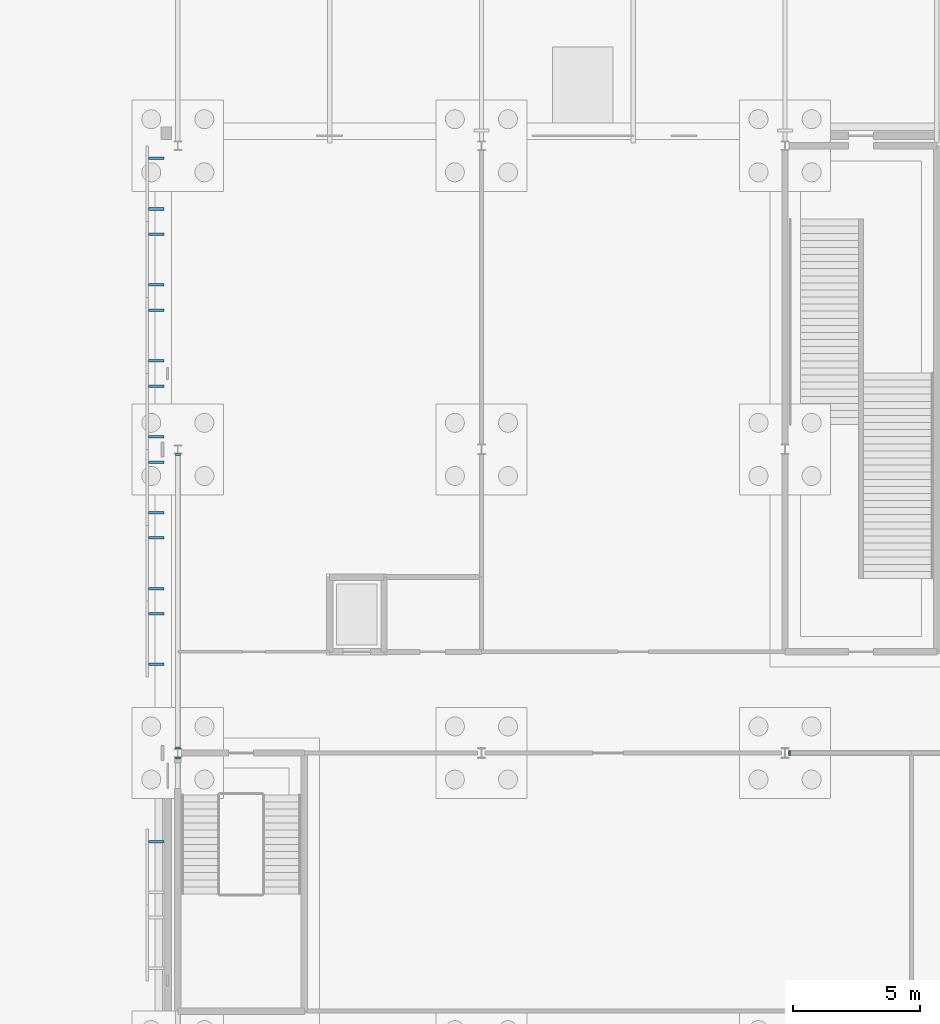
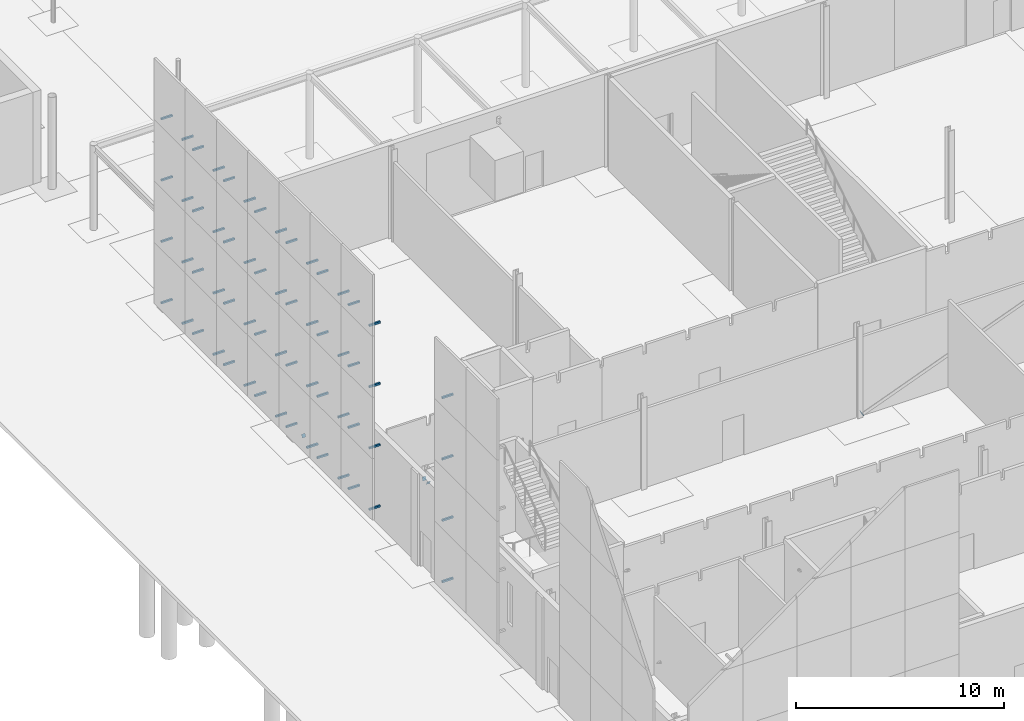
# One storey, part 99 of 132: 64 discrete accessories.
"""IFC4 building model written with IfcOpenShell, lengths in metres."""

import ifcopenshell
import ifcopenshell.guid

model = None  # the IFC model being written
_history = None  # IfcOwnerHistory: only IFC2X3 demands one
_inside = {}  # id of a spatial element -> (the spatial element, [elements in it])
_under = {}  # id of a project, library or spatial element -> (it, [spatial elements below it])
_declared = {}  # id of a project -> (the project, [libraries it declares])
_typed = {}  # id of a type object -> (the type object, [elements of that type])
_made_of = {}  # id of a material, layer set ... -> (it, [elements and type objects made of it])


def new_model(schema):
    """Start an empty IFC model of exactly this schema.

    Asked for "IFC4X3", IfcOpenShell would pick the latest addendum, in which some entities
    have other attributes; the version numbers below select the first issue.
    IFC2X3 requires an IfcOwnerHistory on every rooted entity: one is made here for all.
    """
    global model, _history
    if schema == "IFC4X3":
        model = ifcopenshell.file(schema_version=(4, 3, 0, 0))
    else:
        model = ifcopenshell.file(schema=schema)
    _inside.clear()
    _under.clear()
    _declared.clear()
    _typed.clear()
    _made_of.clear()
    _history = None
    if model.schema == "IFC2X3":
        org = make("IfcOrganization", Name="unknown")
        user = make(
            "IfcPersonAndOrganization",
            ThePerson=make("IfcPerson", FamilyName="unknown"),
            TheOrganization=org,
        )
        app = make(
            "IfcApplication",
            ApplicationDeveloper=org,
            Version="unknown",
            ApplicationFullName="unknown",
            ApplicationIdentifier="unknown",
        )
        _history = make(
            "IfcOwnerHistory",
            OwningUser=user,
            OwningApplication=app,
            ChangeAction="ADDED",
            CreationDate=0,
        )
    return model


def make(cls, **values):
    """One entity of the class cls with the attributes given. An attribute that is None is left unset."""
    return model.create_entity(
        cls, **{name: value for name, value in values.items() if value is not None}
    )


def rooted(cls, **values):
    """An entity with a GlobalId (a new one), such as an element, a storey or a relation."""
    return make(cls, GlobalId=ifcopenshell.guid.new(), OwnerHistory=_history, **values)


def si_unit(unit_type, name, prefix=None):
    """IfcSIUnit, for example si_unit("LENGTHUNIT", "METRE", prefix="MILLI")."""
    return make("IfcSIUnit", UnitType=unit_type, Prefix=prefix, Name=name)


def assignment(units):
    """IfcUnitAssignment: the units of a project."""
    return None if units is None else make("IfcUnitAssignment", Units=units)


def point(xyz):
    """IfcCartesianPoint."""
    return None if xyz is None else make("IfcCartesianPoint", Coordinates=xyz)


def direction(xyz):
    """IfcDirection."""
    return None if xyz is None else make("IfcDirection", DirectionRatios=xyz)


def frame(location, z_axis=None, x_axis=None):
    """IfcAxis2Placement3D, a coordinate frame: its origin and axes. An axis left out is left unset."""
    return make(
        "IfcAxis2Placement3D",
        Location=point(location),
        Axis=direction(z_axis),
        RefDirection=direction(x_axis),
    )


def frame_2d(location, x_axis=None):
    """IfcAxis2Placement2D, a coordinate frame in the plane: its origin and x axis."""
    return make(
        "IfcAxis2Placement2D", Location=point(location), RefDirection=direction(x_axis)
    )


def origin():
    """The frame at (0, 0, 0) with its axes left unset."""
    return frame((0.0, 0.0, 0.0))


def origin_2d():
    """The frame at (0, 0) in the plane with its x axis left unset."""
    return frame_2d((0.0, 0.0))


def place(relative_to, where):
    """IfcLocalPlacement: puts the frame where relative to a parent placement (None: the world)."""
    return make(
        "IfcLocalPlacement", PlacementRelTo=relative_to, RelativePlacement=where
    )


def context(
    kind, dimensions, precision=None, world=None, true_north=None, identifier=None
):
    """IfcGeometricRepresentationContext, for example the 3D "Model" context."""
    return make(
        "IfcGeometricRepresentationContext",
        ContextIdentifier=identifier,
        ContextType=kind,
        CoordinateSpaceDimension=dimensions,
        Precision=precision,
        WorldCoordinateSystem=world,
        TrueNorth=true_north,
    )


def subcontext(parent, identifier, kind, view, scale=None):
    """IfcGeometricRepresentationSubContext, for example "Body" below "Model"."""
    return make(
        "IfcGeometricRepresentationSubContext",
        ContextIdentifier=identifier,
        ContextType=kind,
        ParentContext=parent,
        TargetScale=scale,
        TargetView=view,
    )


def project(units=None, contexts=None):
    """IfcProject with its units and contexts."""
    return rooted(
        "IfcProject",
        Name="project",
        RepresentationContexts=contexts,
        UnitsInContext=assignment(units),
    )


def spatial(cls, under=None, at=None, **own):
    """A site, building, storey or space (cls), placed at a placement, below another one or the project."""
    s = rooted(cls, ObjectPlacement=at, **own)
    if under is not None:
        _under.setdefault(under.id(), (under, []))[1].append(s)
    return s


def profile(cls, at=None, kind="AREA", **sizes):
    """A parametric profile (cls). Its sizes go by their IFC names, for example OverallWidth=200.0."""
    return make(cls, ProfileType=kind, Position=at, **sizes)


def rectangle(**sizes):
    """IfcRectangleProfileDef."""
    return profile("IfcRectangleProfileDef", **sizes)


def extrude(swept, where, along, depth):
    """IfcExtrudedAreaSolid: the profile swept, set in the frame where, extruded along a direction by depth."""
    return make(
        "IfcExtrudedAreaSolid",
        SweptArea=swept,
        Position=where,
        ExtrudedDirection=direction(along),
        Depth=depth,
    )


def shape(context_of_items, identifier, shape_type, items):
    """IfcShapeRepresentation: the items that make up one representation, for example the "Body"."""
    return make(
        "IfcShapeRepresentation",
        ContextOfItems=context_of_items,
        RepresentationIdentifier=identifier,
        RepresentationType=shape_type,
        Items=items,
    )


def material(Name=None, Category=None):
    """IfcMaterial."""
    return make("IfcMaterial", Name=Name, Category=Category)


def material_profile(
    of_material, cross_section, Name=None, Category=None, Priority=None
):
    """IfcMaterialProfile: a cross section and its material."""
    return make(
        "IfcMaterialProfile",
        Name=Name,
        Material=of_material,
        Profile=cross_section,
        Priority=Priority,
        Category=Category,
    )


def profile_set(profiles, Name=None, composite=None):
    """IfcMaterialProfileSet."""
    return make(
        "IfcMaterialProfileSet",
        Name=Name,
        MaterialProfiles=profiles,
        CompositeProfile=composite,
    )


def made_of(thing, what):
    """Note that an element or type object is made of a material, layer set ...; save() writes the relation."""
    if what is not None:
        _made_of.setdefault(what.id(), (what, []))[1].append(thing)
    return thing


def type_object(cls, material=None, **own):
    """A type object (cls), such as IfcWallType, which elements share."""
    return made_of(rooted(cls, **own), material)


def element(
    cls,
    number,
    at=None,
    inside=None,
    cuts=None,
    type_object=None,
    material=None,
    context=None,
    identifier="Body",
    shape_type=None,
    held_by="IfcProductDefinitionShape",
    body=None,
    shapes=None,
    **own,
):
    """One element of the class cls, such as IfcWall. Its Tag is "e" and its number.

    at: its placement. inside: the storey or other place that contains it. cuts: it is an
    opening in that element (IfcRelVoidsElement). A single representation is given by context,
    identifier, shape_type and body (its items); several are given by shapes. held_by: the class
    of the entity that holds the representations. save() writes the other relations.
    """
    e = rooted(cls, Tag="e%d" % number, ObjectPlacement=at, **own)
    if body is not None:
        shapes = [shape(context, identifier, shape_type, body)]
    if shapes is not None:
        e.Representation = make(held_by, Representations=shapes)
    if inside is not None:
        _inside.setdefault(inside.id(), (inside, []))[1].append(e)
    if cuts is not None:
        rooted(
            "IfcRelVoidsElement", RelatingBuildingElement=cuts, RelatedOpeningElement=e
        )
    if type_object is not None:
        _typed.setdefault(type_object.id(), (type_object, []))[1].append(e)
    return made_of(e, material)


def aggregate(whole, parts):
    """IfcRelAggregates: a whole, such as a stair, and the parts it consists of."""
    return rooted("IfcRelAggregates", RelatingObject=whole, RelatedObjects=parts)


def save(model, path):
    """Write the relations noted so far, then the file.

    IfcRelAggregates (storeys below a building ...), IfcRelContainedInSpatialStructure (elements
    in a storey), IfcRelDefinesByType, IfcRelAssociatesMaterial and IfcRelDeclares: one each for
    every whole, place, type object, material and project.
    """
    for whole, parts in _under.values():
        aggregate(whole, parts)
    for where, things in _inside.values():
        rooted(
            "IfcRelContainedInSpatialStructure",
            RelatedElements=things,
            RelatingStructure=where,
        )
    for kind, things in _typed.values():
        rooted("IfcRelDefinesByType", RelatedObjects=things, RelatingType=kind)
    for what, things in _made_of.values():
        rooted("IfcRelAssociatesMaterial", RelatedObjects=things, RelatingMaterial=what)
    for by, libraries in _declared.values():
        rooted("IfcRelDeclares", RelatingContext=by, RelatedDefinitions=libraries)
    model.write(path)


model = new_model("IFC4")

# Units and contexts
model_context = context("Model", 3, precision=1e-05, world=origin(), true_north=direction((0.0, 1.0)))
body_context = subcontext(model_context, "Body", "Model", "MODEL_VIEW")
ifc_project = project(units=[si_unit("LENGTHUNIT", "METRE"), si_unit("AREAUNIT", "SQUARE_METRE"), si_unit("VOLUMEUNIT", "CUBIC_METRE"), si_unit("PLANEANGLEUNIT", "RADIAN"), si_unit("MASSUNIT", "GRAM", prefix="KILO")], contexts=[model_context])

# Site, building, storey
site_placement = place(None, origin())
site = spatial("IfcSite", under=ifc_project, at=site_placement, CompositionType="ELEMENT")
building_placement = place(site_placement, origin())
building = spatial("IfcBuilding", under=site, at=building_placement, Name="Ravi Spectrum Wholesale Market", CompositionType="ELEMENT")
storey_placement = place(building_placement, origin())
storey = spatial("IfcBuildingStorey", under=building, at=storey_placement, Name="L00", CompositionType="ELEMENT", Elevation=0.0)

# Discrete accessories
ifc_material_1 = material(Name="Steel S355", Category="steel")
ifc_material_profile = material_profile(ifc_material_1, rectangle(XDim=0.199951171875, YDim=0.199951171875, at=origin_2d()))
ifc_profile_set = profile_set([ifc_material_profile], Name="Steel S355")
discrete_accessory_type_1 = type_object("IfcDiscreteAccessoryType", Name="End plate SHS 200x200x8", PredefinedType="BRACKET", material=ifc_profile_set)
for number, where, z_axis, x_axis, name in (
    (1, (222.185791015625, 42.0, 0.09326171875), (-0.937994498829, 0.0, -0.346650140872), (0.0, -1.0, 0.0), "End plate"),
    (2, (198.0, 41.793701171875, 4.60693359375), (0.0, 0.937994498829, 0.346650140872), (-1.0, 0.0, 0.0), "End plate"),
    (3, (198.0, 42.206298828125, 4.60693359375), (0.0, -0.937994498829, 0.346650140872), (1.0, 0.0, 0.0), "End plate"),
    (4, (198.0, 53.793701171875, 0.09326171875), (0.0, 0.931242779706, -0.364399348581), (-1.0, 0.0, 0.0), "End plate"),
):
    element("IfcDiscreteAccessory", number, at=place(storey_placement, frame(where, z_axis=z_axis, x_axis=x_axis)), inside=storey, type_object=discrete_accessory_type_1, Name=name, PredefinedType="BRACKET", context=body_context, shape_type="SweptSolid", body=[
        extrude(rectangle(XDim=0.199951171875, YDim=0.199951171875, at=origin_2d()), origin(), (0.0, 0.0, 1.0), 0.011962890625),
    ])
ifc_material_2 = material(Name="Steel S355", Category="steel")
discrete_accessory_type_2 = type_object("IfcDiscreteAccessoryType", Name="Steel angle bracket 100 x 115", PredefinedType="BRACKET", material=ifc_material_2)
for number, where, z_axis, x_axis, name in (
    (5, (197.14990234375, 38.5, 1.14990234375), (0.0, 0.0, 1.0), (1.0, 0.0, 0.0), "Screen bracket"),
    (6, (197.14990234375, 38.5, 4.75), (0.0, 0.0, 1.0), (1.0, 0.0, 0.0), "Screen bracket"),
    (7, (197.14990234375, 38.5, 8.349853515625), (0.0, 0.0, 1.0), (1.0, 0.0, 0.0), "Screen bracket"),
    (8, (197.14990234375, 38.5, 11.949951171875), (0.0, 0.0, 1.0), (1.0, 0.0, 0.0), "Screen bracket"),
    (9, (197.14990234375, 45.5, 1.14990234375), (0.0, 0.0, 1.0), (1.0, 0.0, 0.0), "Screen bracket"),
    (10, (197.14990234375, 47.5, 1.14990234375), (0.0, 0.0, 1.0), (1.0, 0.0, 0.0), "Screen bracket"),
    (11, (197.14990234375, 45.5, 4.75), (0.0, 0.0, 1.0), (1.0, 0.0, 0.0), "Screen bracket"),
    (12, (197.14990234375, 47.5, 4.75), (0.0, 0.0, 1.0), (1.0, 0.0, 0.0), "Screen bracket"),
    (13, (197.14990234375, 45.5, 8.349853515625), (0.0, 0.0, 1.0), (1.0, 0.0, 0.0), "Screen bracket"),
    (14, (197.14990234375, 47.5, 8.349853515625), (0.0, 0.0, 1.0), (1.0, 0.0, 0.0), "Screen bracket"),
    (15, (197.14990234375, 45.5, 11.949951171875), (0.0, 0.0, 1.0), (1.0, 0.0, 0.0), "Screen bracket"),
    (16, (197.14990234375, 47.5, 11.949951171875), (0.0, 0.0, 1.0), (1.0, 0.0, 0.0), "Screen bracket"),
    (17, (197.14990234375, 48.5, 1.14990234375), (0.0, 0.0, 1.0), (1.0, 0.0, 0.0), "Screen bracket"),
    (18, (197.14990234375, 50.5, 1.14990234375), (0.0, 0.0, 1.0), (1.0, 0.0, 0.0), "Screen bracket"),
    (19, (197.14990234375, 48.5, 4.75), (0.0, 0.0, 1.0), (1.0, 0.0, 0.0), "Screen bracket"),
    (20, (197.14990234375, 50.5, 4.75), (0.0, 0.0, 1.0), (1.0, 0.0, 0.0), "Screen bracket"),
    (21, (197.14990234375, 48.5, 8.349853515625), (0.0, 0.0, 1.0), (1.0, 0.0, 0.0), "Screen bracket"),
    (22, (197.14990234375, 50.5, 8.349853515625), (0.0, 0.0, 1.0), (1.0, 0.0, 0.0), "Screen bracket"),
    (23, (197.14990234375, 48.5, 11.949951171875), (0.0, 0.0, 1.0), (1.0, 0.0, 0.0), "Screen bracket"),
    (24, (197.14990234375, 50.5, 11.949951171875), (0.0, 0.0, 1.0), (1.0, 0.0, 0.0), "Screen bracket"),
    (25, (197.14990234375, 51.5, 1.14990234375), (0.0, 0.0, 1.0), (1.0, 0.0, 0.0), "Screen bracket"),
    (26, (197.14990234375, 53.5, 1.14990234375), (0.0, 0.0, 1.0), (1.0, 0.0, 0.0), "Screen bracket"),
    (27, (197.14990234375, 51.5, 4.75), (0.0, 0.0, 1.0), (1.0, 0.0, 0.0), "Screen bracket"),
    (28, (197.14990234375, 53.5, 4.75), (0.0, 0.0, 1.0), (1.0, 0.0, 0.0), "Screen bracket"),
    (29, (197.14990234375, 51.5, 8.349853515625), (0.0, 0.0, 1.0), (1.0, 0.0, 0.0), "Screen bracket"),
    (30, (197.14990234375, 53.5, 8.349853515625), (0.0, 0.0, 1.0), (1.0, 0.0, 0.0), "Screen bracket"),
    (31, (197.14990234375, 51.5, 11.949951171875), (0.0, 0.0, 1.0), (1.0, 0.0, 0.0), "Screen bracket"),
    (32, (197.14990234375, 53.5, 11.949951171875), (0.0, 0.0, 1.0), (1.0, 0.0, 0.0), "Screen bracket"),
    (33, (197.14990234375, 54.5, 1.14990234375), (0.0, 0.0, 1.0), (1.0, 0.0, 0.0), "Screen bracket"),
    (34, (197.14990234375, 56.5, 1.14990234375), (0.0, 0.0, 1.0), (1.0, 0.0, 0.0), "Screen bracket"),
    (35, (197.14990234375, 54.5, 4.75), (0.0, 0.0, 1.0), (1.0, 0.0, 0.0), "Screen bracket"),
    (36, (197.14990234375, 56.5, 4.75), (0.0, 0.0, 1.0), (1.0, 0.0, 0.0), "Screen bracket"),
    (37, (197.14990234375, 54.5, 8.349853515625), (0.0, 0.0, 1.0), (1.0, 0.0, 0.0), "Screen bracket"),
    (38, (197.14990234375, 56.5, 8.349853515625), (0.0, 0.0, 1.0), (1.0, 0.0, 0.0), "Screen bracket"),
    (39, (197.14990234375, 54.5, 11.949951171875), (0.0, 0.0, 1.0), (1.0, 0.0, 0.0), "Screen bracket"),
    (40, (197.14990234375, 56.5, 11.949951171875), (0.0, 0.0, 1.0), (1.0, 0.0, 0.0), "Screen bracket"),
    (41, (197.14990234375, 57.5, 1.14990234375), (0.0, 0.0, 1.0), (1.0, 0.0, 0.0), "Screen bracket"),
    (42, (197.14990234375, 59.5, 1.14990234375), (0.0, 0.0, 1.0), (1.0, 0.0, 0.0), "Screen bracket"),
    (43, (197.14990234375, 57.5, 4.75), (0.0, 0.0, 1.0), (1.0, 0.0, 0.0), "Screen bracket"),
    (44, (197.14990234375, 59.5, 4.75), (0.0, 0.0, 1.0), (1.0, 0.0, 0.0), "Screen bracket"),
    (45, (197.14990234375, 57.5, 8.349853515625), (0.0, 0.0, 1.0), (1.0, 0.0, 0.0), "Screen bracket"),
    (46, (197.14990234375, 59.5, 8.349853515625), (0.0, 0.0, 1.0), (1.0, 0.0, 0.0), "Screen bracket"),
    (47, (197.14990234375, 57.5, 11.949951171875), (0.0, 0.0, 1.0), (1.0, 0.0, 0.0), "Screen bracket"),
    (48, (197.14990234375, 59.5, 11.949951171875), (0.0, 0.0, 1.0), (1.0, 0.0, 0.0), "Screen bracket"),
    (49, (197.14990234375, 60.5, 1.14990234375), (0.0, 0.0, 1.0), (1.0, 0.0, 0.0), "Screen bracket"),
    (50, (197.14990234375, 62.5, 1.14990234375), (0.0, 0.0, 1.0), (1.0, 0.0, 0.0), "Screen bracket"),
    (51, (197.14990234375, 60.5, 4.75), (0.0, 0.0, 1.0), (1.0, 0.0, 0.0), "Screen bracket"),
    (52, (197.14990234375, 62.5, 4.75), (0.0, 0.0, 1.0), (1.0, 0.0, 0.0), "Screen bracket"),
    (53, (197.14990234375, 60.5, 8.349853515625), (0.0, 0.0, 1.0), (1.0, 0.0, 0.0), "Screen bracket"),
    (54, (197.14990234375, 62.5, 8.349853515625), (0.0, 0.0, 1.0), (1.0, 0.0, 0.0), "Screen bracket"),
    (55, (197.14990234375, 60.5, 11.949951171875), (0.0, 0.0, 1.0), (1.0, 0.0, 0.0), "Screen bracket"),
    (56, (197.14990234375, 62.5, 11.949951171875), (0.0, 0.0, 1.0), (1.0, 0.0, 0.0), "Screen bracket"),
    (57, (197.14990234375, 63.5, 1.14990234375), (0.0, 0.0, 1.0), (1.0, 0.0, 0.0), "Screen bracket"),
    (58, (197.14990234375, 65.5, 1.14990234375), (0.0, 0.0, 1.0), (1.0, 0.0, 0.0), "Screen bracket"),
    (59, (197.14990234375, 63.5, 4.75), (0.0, 0.0, 1.0), (1.0, 0.0, 0.0), "Screen bracket"),
    (60, (197.14990234375, 65.5, 4.75), (0.0, 0.0, 1.0), (1.0, 0.0, 0.0), "Screen bracket"),
    (61, (197.14990234375, 63.5, 8.349853515625), (0.0, 0.0, 1.0), (1.0, 0.0, 0.0), "Screen bracket"),
    (62, (197.14990234375, 65.5, 8.349853515625), (0.0, 0.0, 1.0), (1.0, 0.0, 0.0), "Screen bracket"),
    (63, (197.14990234375, 63.5, 11.949951171875), (0.0, 0.0, 1.0), (1.0, 0.0, 0.0), "Screen bracket"),
    (64, (197.14990234375, 65.5, 11.949951171875), (0.0, 0.0, 1.0), (1.0, 0.0, 0.0), "Screen bracket"),
):
    element("IfcDiscreteAccessory", number, at=place(storey_placement, frame(where, z_axis=z_axis, x_axis=x_axis)), inside=storey, type_object=discrete_accessory_type_2, Name=name, PredefinedType="BRACKET", context=body_context, shape_type="SweptSolid", body=[
        extrude(rectangle(XDim=0.6201171875, YDim=0.10009765625, at=origin_2d()), origin(), (0.0, 0.0, 1.0), 0.10009765625),
    ])

save(model, "model.ifc")
